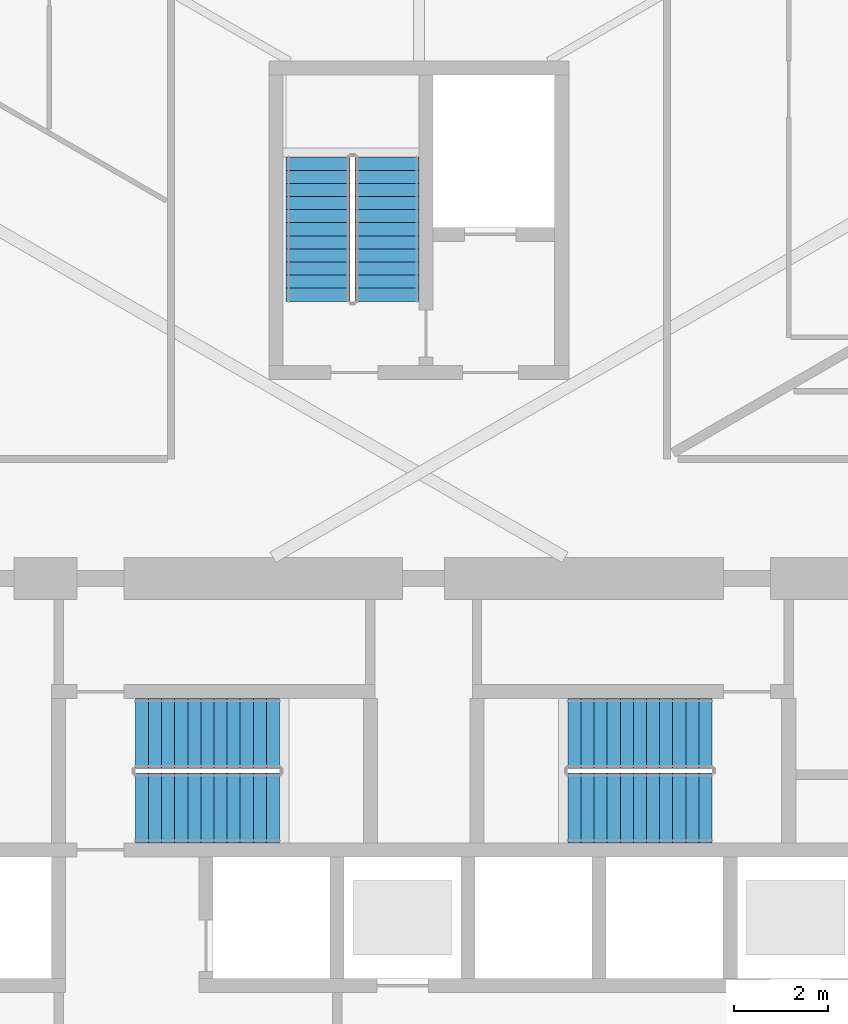
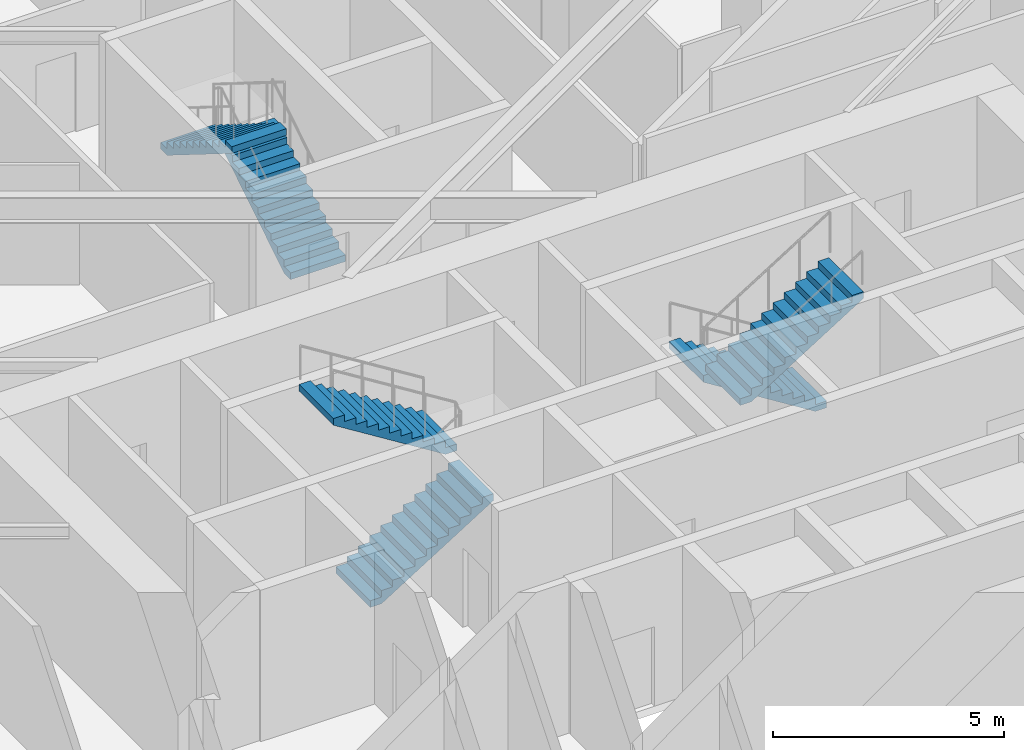
# One storey, part 19 of 21: 6 stair flights, 3 elements without a shape of their own.
"""IFC4 building model written with IfcOpenShell, lengths in metres."""

from ifc_helpers import new_model, si_unit, direction, frame, origin, place, context, subcontext, project, spatial, polyline, outline, extrude, material, type_object, element, aggregate, save


model = new_model("IFC4")

# Units and contexts
model_context = context("Model", 3, precision=1e-05, world=origin(), true_north=direction((0.0, 1.0)))
body_context = subcontext(model_context, "Body", "Model", "MODEL_VIEW")
ifc_project = project(units=[si_unit("LENGTHUNIT", "METRE"), si_unit("AREAUNIT", "SQUARE_METRE"), si_unit("VOLUMEUNIT", "CUBIC_METRE"), si_unit("PLANEANGLEUNIT", "RADIAN"), si_unit("MASSUNIT", "GRAM", prefix="KILO")], contexts=[model_context])

# Site, building, storey
site_placement = place(None, origin())
site = spatial("IfcSite", under=ifc_project, at=site_placement, CompositionType="ELEMENT")
building_placement = place(site_placement, origin())
building = spatial("IfcBuilding", under=site, at=building_placement, Name="Firuza Gate Tower and Library", CompositionType="ELEMENT")
storey_placement = place(building_placement, frame((0.0, 0.0, 107.199951171875)))
storey = spatial("IfcBuildingStorey", under=building, at=storey_placement, Name="L24", CompositionType="ELEMENT", Elevation=107.199951171875)

# Stair, stair flights
ifc_material_1 = material(Name="Concrete C35/45", Category="concrete")
stair_type_1 = type_object("IfcStairType", Name="Exit stair ST14", PredefinedType="HALF_TURN_STAIR", material=ifc_material_1)
placement = place(storey_placement, origin())
stair_1 = element("IfcStair", 1, at=placement, inside=storey, type_object=stair_type_1, Name="L24 Stair ST3", PredefinedType="HALF_TURN_STAIR")
ifc_material_2 = material(Name="Concrete C35/45", Category="concrete")
stair_flight_type_1 = type_object("IfcStairFlightType", Name="Stair flight 12 risers 175 width 1370", PredefinedType="STRAIGHT", material=ifc_material_2)
stair_flight_1_placement = place(storey_placement, frame((74.31494140625, 89.469970703125, 0.0), z_axis=(0.0, 0.0, 1.0), x_axis=(0.0, 1.0, 0.0)))
stair_flight_1 = element("IfcStairFlight", 2, at=stair_flight_1_placement, type_object=stair_flight_type_1, Name="ST3 flight 1", NumberOfRisers=12, NumberOfTreads=11, PredefinedType="STRAIGHT", RiserHeight=0.175, TreadLength=0.28, context=body_context, shape_type="SweptSolid", body=[
    extrude(outline(polyline([(0.0, 0.0), (0.0, 0.175048828125), (0.280029296875, 0.175048828125), (0.280029296875, 0.35009765625), (0.56005859375, 0.35009765625), (0.56005859375, 0.52490234375), (0.840087890625, 0.52490234375), (0.840087890625, 0.699951171875), (1.1201171875, 0.699951171875), (1.1201171875, 0.875), (1.39990234375, 0.875), (1.39990234375, 1.050048828125), (1.679931640625, 1.050048828125), (1.679931640625, 1.22509765625), (1.9599609375, 1.22509765625), (1.9599609375, 1.39990234375), (2.239990234375, 1.39990234375), (2.239990234375, 1.574951171875), (2.52001953125, 1.574951171875), (2.52001953125, 1.75), (2.800048828125, 1.75), (2.800048828125, 1.925048828125), (3.080078125, 1.925048828125), (3.080078125, 2.10009765625), (3.080078125, 1.748291015625), (0.28271484375, 0.0), (0.0, 0.0)])), frame((0.0, 0.68505859375, 0.0), z_axis=(0.0, -1.0, 0.0), x_axis=(1.0, 0.0, 0.0)), (0.0, 0.0, 1.0), 1.3701171875),
])
stair_flight_2_placement = place(storey_placement, frame((72.844970703125, 92.550048828125, 2.10009765625), z_axis=(0.0, 0.0, 1.0), x_axis=(0.0, -1.0, 0.0)))
stair_flight_2 = element("IfcStairFlight", 3, at=stair_flight_2_placement, type_object=stair_flight_type_1, Name="ST3 flight 2", NumberOfRisers=12, NumberOfTreads=11, PredefinedType="STRAIGHT", RiserHeight=0.175, TreadLength=0.28, context=body_context, shape_type="SweptSolid", body=[
    extrude(outline(polyline([(0.0, 0.0), (0.0, 0.175048828125), (0.280029296875, 0.175048828125), (0.280029296875, 0.35009765625), (0.56005859375, 0.35009765625), (0.56005859375, 0.52490234375), (0.840087890625, 0.52490234375), (0.840087890625, 0.699951171875), (1.1201171875, 0.699951171875), (1.1201171875, 0.875), (1.39990234375, 0.875), (1.39990234375, 1.050048828125), (1.679931640625, 1.050048828125), (1.679931640625, 1.22509765625), (1.9599609375, 1.22509765625), (1.9599609375, 1.39990234375), (2.239990234375, 1.39990234375), (2.239990234375, 1.574951171875), (2.52001953125, 1.574951171875), (2.52001953125, 1.75), (2.800048828125, 1.75), (2.800048828125, 1.925048828125), (3.080078125, 1.925048828125), (3.080078125, 2.10009765625), (3.080078125, 1.748291015625), (0.28271484375, 0.0), (0.0, 0.0)])), frame((0.0, 0.68505859375, 0.0), z_axis=(0.0, -1.0, 0.0), x_axis=(1.0, 0.0, 0.0)), (0.0, 0.0, 1.0), 1.3701171875),
])
aggregate(stair_1, [stair_flight_1, stair_flight_2])

ifc_material_3 = material(Name="Concrete C35/45", Category="concrete")
stair_type_2 = type_object("IfcStairType", Name="Exit stair ST5", PredefinedType="HALF_TURN_STAIR", material=ifc_material_3)
stair_2 = element("IfcStair", 4, at=placement, inside=storey, type_object=stair_type_2, Name="L24 Stair ST1", PredefinedType="HALF_TURN_STAIR")
ifc_material_4 = material(Name="Concrete C35/45", Category="concrete")
stair_flight_type_2 = type_object("IfcStairFlightType", Name="Stair flight 12 risers 175 width 1490", PredefinedType="STRAIGHT", material=ifc_material_4)
stair_flight_3_placement = place(storey_placement, frame((68.93994140625, 78.64501953125, 0.0), z_axis=(0.0, 0.0, 1.0), x_axis=(1.0, 0.0, 0.0)))
stair_flight_3 = element("IfcStairFlight", 5, at=stair_flight_3_placement, type_object=stair_flight_type_2, Name="ST1 flight 1", NumberOfRisers=12, NumberOfTreads=11, PredefinedType="STRAIGHT", RiserHeight=0.175, TreadLength=0.28, context=body_context, shape_type="SweptSolid", body=[
    extrude(outline(polyline([(0.0, 0.0), (0.0, 0.175048828125), (0.280029296875, 0.175048828125), (0.280029296875, 0.35009765625), (0.56005859375, 0.35009765625), (0.56005859375, 0.52490234375), (0.840087890625, 0.52490234375), (0.840087890625, 0.699951171875), (1.1201171875, 0.699951171875), (1.1201171875, 0.875), (1.39990234375, 0.875), (1.39990234375, 1.050048828125), (1.679931640625, 1.050048828125), (1.679931640625, 1.22509765625), (1.9599609375, 1.22509765625), (1.9599609375, 1.39990234375), (2.239990234375, 1.39990234375), (2.239990234375, 1.574951171875), (2.52001953125, 1.574951171875), (2.52001953125, 1.75), (2.800048828125, 1.75), (2.800048828125, 1.925048828125), (3.080078125, 1.925048828125), (3.080078125, 2.10009765625), (3.080078125, 1.748291015625), (0.28271484375, 0.0), (0.0, 0.0)])), frame((0.0, 0.7451171875, 0.0), z_axis=(0.0, -1.0, 0.0), x_axis=(1.0, 0.0, 0.0)), (0.0, 0.0, 1.0), 1.489990234375),
])
stair_flight_4_placement = place(storey_placement, frame((72.02001953125, 80.235107421875, 2.10009765625), z_axis=(0.0, 0.0, 1.0), x_axis=(-1.0, 0.0, 0.0)))
stair_flight_4 = element("IfcStairFlight", 6, at=stair_flight_4_placement, type_object=stair_flight_type_2, Name="ST1 flight 2", NumberOfRisers=12, NumberOfTreads=11, PredefinedType="STRAIGHT", RiserHeight=0.175, TreadLength=0.28, context=body_context, shape_type="SweptSolid", body=[
    extrude(outline(polyline([(0.0, 0.0), (0.0, 0.175048828125), (0.280029296875, 0.175048828125), (0.280029296875, 0.35009765625), (0.56005859375, 0.35009765625), (0.56005859375, 0.52490234375), (0.840087890625, 0.52490234375), (0.840087890625, 0.699951171875), (1.1201171875, 0.699951171875), (1.1201171875, 0.875), (1.39990234375, 0.875), (1.39990234375, 1.050048828125), (1.679931640625, 1.050048828125), (1.679931640625, 1.22509765625), (1.9599609375, 1.22509765625), (1.9599609375, 1.39990234375), (2.239990234375, 1.39990234375), (2.239990234375, 1.574951171875), (2.52001953125, 1.574951171875), (2.52001953125, 1.75), (2.800048828125, 1.75), (2.800048828125, 1.925048828125), (3.080078125, 1.925048828125), (3.080078125, 2.10009765625), (3.080078125, 1.748291015625), (0.28271484375, 0.0), (0.0, 0.0)])), frame((0.0, 0.7451171875, 0.0), z_axis=(0.0, -1.0, 0.0), x_axis=(1.0, 0.0, 0.0)), (0.0, 0.0, 1.0), 1.489990234375),
])
aggregate(stair_2, [stair_flight_3, stair_flight_4])

stair_3 = element("IfcStair", 7, at=placement, inside=storey, type_object=stair_type_2, Name="L24 Stair ST2", PredefinedType="HALF_TURN_STAIR")
stair_flight_5_placement = place(storey_placement, frame((81.260009765625, 80.235107421875, 0.0), z_axis=(0.0, 0.0, 1.0), x_axis=(-1.0, 0.0, 0.0)))
stair_flight_5 = element("IfcStairFlight", 8, at=stair_flight_5_placement, type_object=stair_flight_type_2, Name="ST2 flight 1", NumberOfRisers=12, NumberOfTreads=11, PredefinedType="STRAIGHT", RiserHeight=0.175, TreadLength=0.28, context=body_context, shape_type="SweptSolid", body=[
    extrude(outline(polyline([(0.0, 0.0), (0.0, 0.175048828125), (0.280029296875, 0.175048828125), (0.280029296875, 0.35009765625), (0.56005859375, 0.35009765625), (0.56005859375, 0.52490234375), (0.840087890625, 0.52490234375), (0.840087890625, 0.699951171875), (1.1201171875, 0.699951171875), (1.1201171875, 0.875), (1.39990234375, 0.875), (1.39990234375, 1.050048828125), (1.679931640625, 1.050048828125), (1.679931640625, 1.22509765625), (1.9599609375, 1.22509765625), (1.9599609375, 1.39990234375), (2.239990234375, 1.39990234375), (2.239990234375, 1.574951171875), (2.52001953125, 1.574951171875), (2.52001953125, 1.75), (2.800048828125, 1.75), (2.800048828125, 1.925048828125), (3.080078125, 1.925048828125), (3.080078125, 2.10009765625), (3.080078125, 1.748291015625), (0.28271484375, 0.0), (0.0, 0.0)])), frame((0.0, 0.7451171875, 0.0), z_axis=(0.0, -1.0, 0.0), x_axis=(1.0, 0.0, 0.0)), (0.0, 0.0, 1.0), 1.489990234375),
])
stair_flight_6_placement = place(storey_placement, frame((78.179931640625, 78.64501953125, 2.10009765625), z_axis=(0.0, 0.0, 1.0), x_axis=(1.0, 0.0, 0.0)))
stair_flight_6 = element("IfcStairFlight", 9, at=stair_flight_6_placement, type_object=stair_flight_type_2, Name="ST2 flight 2", NumberOfRisers=12, NumberOfTreads=11, PredefinedType="STRAIGHT", RiserHeight=0.175, TreadLength=0.28, context=body_context, shape_type="SweptSolid", body=[
    extrude(outline(polyline([(0.0, 0.0), (0.0, 0.175048828125), (0.280029296875, 0.175048828125), (0.280029296875, 0.35009765625), (0.56005859375, 0.35009765625), (0.56005859375, 0.52490234375), (0.840087890625, 0.52490234375), (0.840087890625, 0.699951171875), (1.1201171875, 0.699951171875), (1.1201171875, 0.875), (1.39990234375, 0.875), (1.39990234375, 1.050048828125), (1.679931640625, 1.050048828125), (1.679931640625, 1.22509765625), (1.9599609375, 1.22509765625), (1.9599609375, 1.39990234375), (2.239990234375, 1.39990234375), (2.239990234375, 1.574951171875), (2.52001953125, 1.574951171875), (2.52001953125, 1.75), (2.800048828125, 1.75), (2.800048828125, 1.925048828125), (3.080078125, 1.925048828125), (3.080078125, 2.10009765625), (3.080078125, 1.748291015625), (0.28271484375, 0.0), (0.0, 0.0)])), frame((0.0, 0.7451171875, 0.0), z_axis=(0.0, -1.0, 0.0), x_axis=(1.0, 0.0, 0.0)), (0.0, 0.0, 1.0), 1.489990234375),
])
aggregate(stair_3, [stair_flight_5, stair_flight_6])

save(model, "model.ifc")
